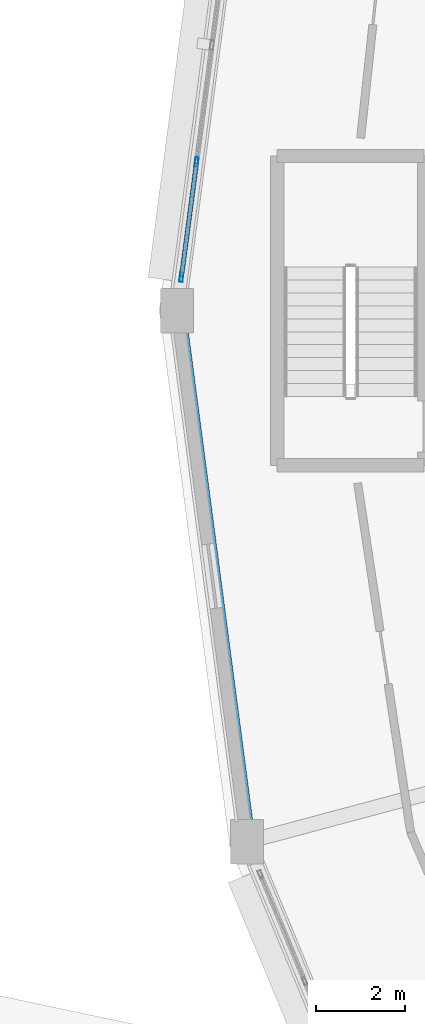
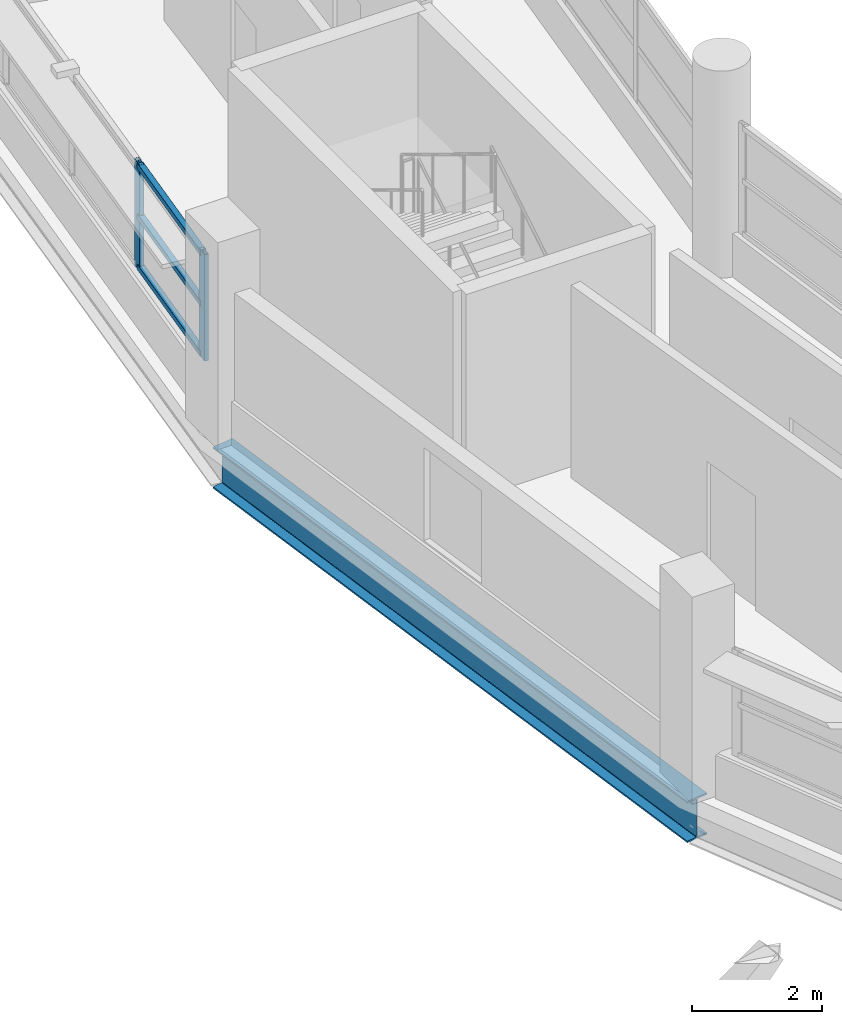
# One storey, part 16 of 88: 5 members, 1 beam, 1 element without a shape of its own.
"""IFC4 building model written with IfcOpenShell, lengths in metres."""

from ifc_helpers import new_model, si_unit, direction, frame, origin, origin_2d, place, context, subcontext, project, spatial, hollow_rectangle, i_section, extrude, material, layer, layer_set, material_profile, profile_set, type_object, element, aggregate, save


model = new_model("IFC4")

# Units and contexts
model_context = context("Model", 3, precision=1e-05, world=origin(), true_north=direction((0.0, 1.0)))
body_context = subcontext(model_context, "Body", "Model", "MODEL_VIEW")
ifc_project = project(units=[si_unit("LENGTHUNIT", "METRE"), si_unit("AREAUNIT", "SQUARE_METRE"), si_unit("VOLUMEUNIT", "CUBIC_METRE"), si_unit("PLANEANGLEUNIT", "RADIAN"), si_unit("MASSUNIT", "GRAM", prefix="KILO")], contexts=[model_context])

# Site, building, storey
site_placement = place(None, origin())
site = spatial("IfcSite", under=ifc_project, at=site_placement, CompositionType="ELEMENT")
building_placement = place(site_placement, origin())
building = spatial("IfcBuilding", under=site, at=building_placement, Name="Vespera Passage Community Centre", CompositionType="ELEMENT")
storey_placement = place(building_placement, frame((0.0, 0.0, 16.5)))
storey = spatial("IfcBuildingStorey", under=building, at=storey_placement, Name="L04", CompositionType="ELEMENT", Elevation=16.5)

# Beam
ifc_material_1 = material(Name="Steel ASTM A992 Grade 50", Category="steel")
ifc_material_profile_1 = material_profile(ifc_material_1, i_section(OverallWidth=0.382080078125, OverallDepth=0.779296875, WebThickness=0.01806640625, FlangeThickness=0.030029296875, FilletRadius=0.0166015625, at=origin_2d()), Name="W30X191")
ifc_profile_set_1 = profile_set([ifc_material_profile_1], Name="Steel ASTM A992 Grade 50")
beam_type = type_object("IfcBeamType", Name="BM-SP-W30X191E", PredefinedType="SPANDREL", material=ifc_profile_set_1)
beam_placement = place(storey_placement, frame((31.89990234375, 65.5, -0.689697265625), z_axis=(0.130523782115, -0.991445178667, 0.0), x_axis=(0.991445178667, 0.130523782115, 0.0)))
element("IfcBeam", 1, at=beam_placement, inside=storey, type_object=beam_type, Name="V4 L04 Outer Spandrel 12", PredefinedType="SPANDREL", context=body_context, shape_type="SweptSolid", body=[
    extrude(i_section(OverallWidth=0.382080078125, OverallDepth=0.779296875, WebThickness=0.01806640625, FlangeThickness=0.030029296875, FilletRadius=0.0166015625, at=origin_2d()), origin(), (0.0, 0.0, 1.0), 12.03466796875),
])

# Curtain wall, members
ifc_material_2 = material(Name="Anodized aluminium 6063-T6", Category="aluminium")
ifc_layer = layer(ifc_material_2, 0.159912109375)
ifc_layer_set = layer_set([ifc_layer], Name="Anodized aluminium 6063-T6")
curtain_wall_type = type_object("IfcCurtainWallType", Name="CW-63E", PredefinedType="NOTDEFINED", material=ifc_layer_set)
curtain_wall_placement = place(storey_placement, origin())
curtain_wall = element("IfcCurtainWall", 2, at=curtain_wall_placement, inside=storey, type_object=curtain_wall_type, Name="V4 L04 Outer Ribbon Curtain Wall 11", PredefinedType="NOTDEFINED")
ifc_material_3 = material(Name="Anodized aluminium 6063-T6", Category="aluminium")
ifc_material_profile_2 = material_profile(ifc_material_3, hollow_rectangle(XDim=0.074951171875, YDim=0.2099609375, WallThickness=0.0048828125, InnerFilletRadius=0.00244140625, OuterFilletRadius=0.0048828125, at=origin_2d()), Name="ALU210X75X5")
ifc_profile_set_2 = profile_set([ifc_material_profile_2], Name="Anodized aluminium 6063-T6")
member_type_1 = type_object("IfcMemberType", Name="MB-CWM-210E", PredefinedType="MULLION", material=ifc_profile_set_2)
member_1_placement = place(storey_placement, frame((31.998779296875, 66.25048828125, 0.820068359375), z_axis=(0.0, 0.0, 1.0), x_axis=(-0.991445298818, 0.130522869458, 0.0)))
member_1 = element("IfcMember", 3, at=member_1_placement, type_object=member_type_1, Name="CW-63E mullion 1", PredefinedType="MULLION", context=body_context, shape_type="SweptSolid", body=[
    extrude(hollow_rectangle(XDim=0.074951171875, YDim=0.2099609375, WallThickness=0.0048828125, InnerFilletRadius=0.00244140625, OuterFilletRadius=0.0048828125, at=origin_2d()), origin(), (0.0, 0.0, 1.0), 2.005615234375),
])
member_2_placement = place(storey_placement, frame((32.339599609375, 68.839599609375, 0.820068359375), z_axis=(0.0, 0.0, 1.0), x_axis=(-0.991445298818, 0.130522869458, 0.0)))
member_2 = element("IfcMember", 4, at=member_2_placement, type_object=member_type_1, Name="CW-63E mullion 2", PredefinedType="MULLION", context=body_context, shape_type="SweptSolid", body=[
    extrude(hollow_rectangle(XDim=0.074951171875, YDim=0.2099609375, WallThickness=0.0048828125, InnerFilletRadius=0.00244140625, OuterFilletRadius=0.0048828125, at=origin_2d()), origin(), (0.0, 0.0, 1.0), 2.005615234375),
])
ifc_material_4 = material(Name="Anodized aluminium 6063-T6", Category="aluminium")
ifc_material_profile_3 = material_profile(ifc_material_4, hollow_rectangle(XDim=0.10009765625, YDim=0.10009765625, WallThickness=0.00390625, InnerFilletRadius=0.001953125, OuterFilletRadius=0.00390625, at=origin_2d()), Name="ALU100X100X4")
ifc_profile_set_3 = profile_set([ifc_material_profile_3], Name="Anodized aluminium 6063-T6")
member_type_2 = type_object("IfcMemberType", Name="MB-CWT-100E", PredefinedType="USERDEFINED", material=ifc_profile_set_3)
member_3_placement = place(storey_placement, frame((32.003662109375, 66.28759765625, 0.8701171875), z_axis=(0.130524231271, 0.991445119536, 0.0), x_axis=(-0.991445119536, 0.130524231271, 0.0)))
member_3 = element("IfcMember", 5, at=member_3_placement, type_object=member_type_2, Name="CW-63E transom 1.1", ObjectType="TRANSOM", PredefinedType="USERDEFINED", context=body_context, shape_type="SweptSolid", body=[
    extrude(hollow_rectangle(XDim=0.10009765625, YDim=0.10009765625, WallThickness=0.00390625, InnerFilletRadius=0.001953125, OuterFilletRadius=0.00390625, at=origin_2d()), origin(), (0.0, 0.0, 1.0), 2.536376953125),
])
member_4_placement = place(storey_placement, frame((32.003662109375, 66.28759765625, 1.82275390625), z_axis=(0.130524231271, 0.991445119536, 0.0), x_axis=(-0.991445119536, 0.130524231271, 0.0)))
member_4 = element("IfcMember", 6, at=member_4_placement, type_object=member_type_2, Name="CW-63E transom 1.2", ObjectType="TRANSOM", PredefinedType="USERDEFINED", context=body_context, shape_type="SweptSolid", body=[
    extrude(hollow_rectangle(XDim=0.10009765625, YDim=0.10009765625, WallThickness=0.00390625, InnerFilletRadius=0.001953125, OuterFilletRadius=0.00390625, at=origin_2d()), origin(), (0.0, 0.0, 1.0), 2.536376953125),
])
member_5_placement = place(storey_placement, frame((32.003662109375, 66.28759765625, 2.775634765625), z_axis=(0.130524231271, 0.991445119536, 0.0), x_axis=(-0.991445119536, 0.130524231271, 0.0)))
member_5 = element("IfcMember", 7, at=member_5_placement, type_object=member_type_2, Name="CW-63E transom 1.3", ObjectType="TRANSOM", PredefinedType="USERDEFINED", context=body_context, shape_type="SweptSolid", body=[
    extrude(hollow_rectangle(XDim=0.10009765625, YDim=0.10009765625, WallThickness=0.00390625, InnerFilletRadius=0.001953125, OuterFilletRadius=0.00390625, at=origin_2d()), origin(), (0.0, 0.0, 1.0), 2.536376953125),
])
aggregate(curtain_wall, [member_1, member_2, member_3, member_4, member_5])

save(model, "model.ifc")
